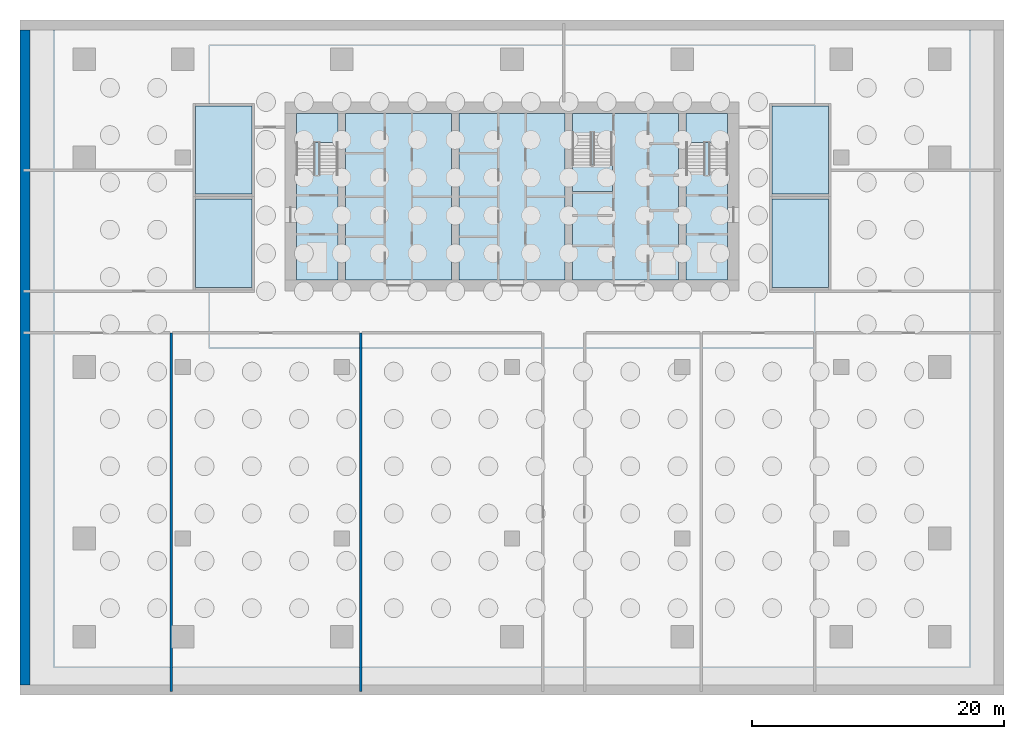
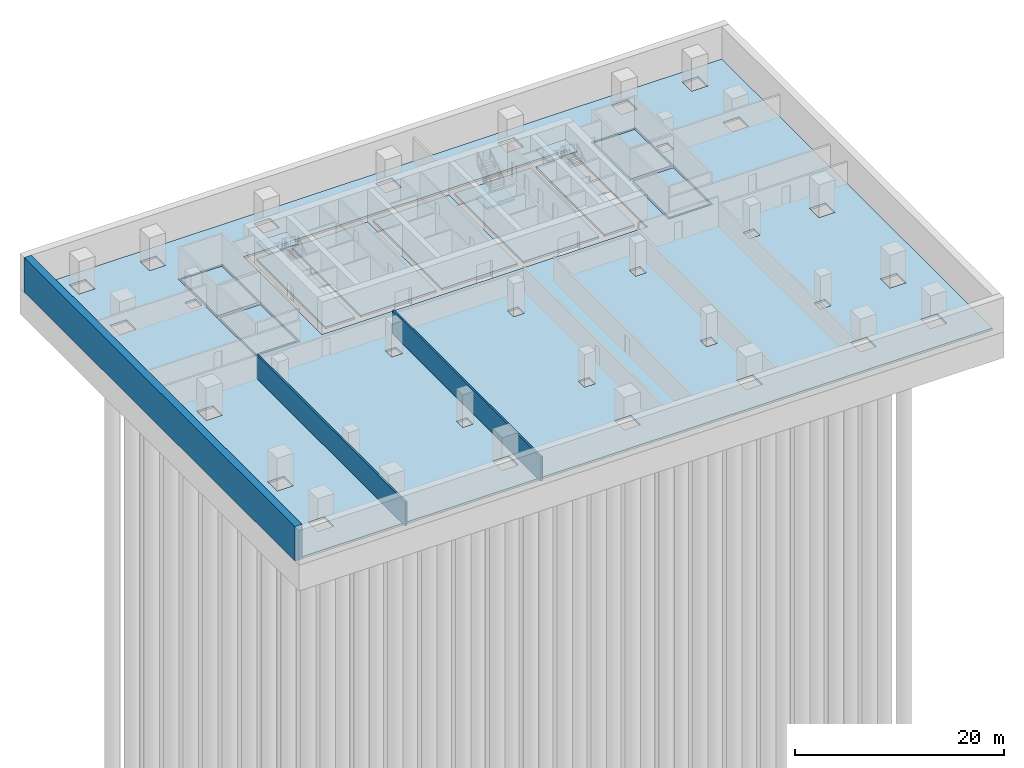
# One storey, part 2 of 10: 13 slabs, 3 walls, 3 elements without a shape of their own.
"""IFC4 building model written with IfcOpenShell, lengths in metres."""

from ifc_helpers import new_model, si_unit, direction, frame, frame_2d, origin, place, context, subcontext, project, spatial, polyline, rectangle, outline, extrude, material, layer, layer_set, type_object, element, aggregate, save


model = new_model("IFC4")

# Units and contexts
model_context = context("Model", 3, precision=1e-05, world=origin(), true_north=direction((0.0, 1.0)))
body_context = subcontext(model_context, "Body", "Model", "MODEL_VIEW")
ifc_project = project(units=[si_unit("LENGTHUNIT", "METRE"), si_unit("AREAUNIT", "SQUARE_METRE"), si_unit("VOLUMEUNIT", "CUBIC_METRE"), si_unit("PLANEANGLEUNIT", "RADIAN"), si_unit("MASSUNIT", "GRAM", prefix="KILO")], contexts=[model_context])

# Site, building, storey
site_placement = place(None, origin())
site = spatial("IfcSite", under=ifc_project, at=site_placement, CompositionType="ELEMENT")
building_placement = place(site_placement, origin())
building = spatial("IfcBuilding", under=site, at=building_placement, Name="Rattan Terrace Tower", CompositionType="ELEMENT")
storey_placement = place(building_placement, frame((0.0, 0.0, -13.5)))
storey = spatial("IfcBuildingStorey", under=building, at=storey_placement, Name="B3", CompositionType="ELEMENT", Elevation=-13.5)

# Stair, slab
ifc_material_1 = material(Name="Concrete C40/50", Category="concrete")
stair_type = type_object("IfcStairType", Name="Core exit stair 1500", PredefinedType="HALF_TURN_STAIR", material=ifc_material_1)
stair_1_placement = place(storey_placement, origin())
stair_1 = element("IfcStair", 1, at=stair_1_placement, inside=storey, type_object=stair_type, Name="B3 exit stair 1", PredefinedType="HALF_TURN_STAIR")
ifc_material_2 = material(Name="Concrete C40/50", Category="concrete")
ifc_layer_1 = layer(ifc_material_2, 0.199951171875)
ifc_layer_set_1 = layer_set([ifc_layer_1], Name="Core exit stair landing")
slab_type_1 = type_object("IfcSlabType", Name="Core exit stair landing", PredefinedType="LANDING", material=ifc_layer_set_1)
slab_1_placement = place(storey_placement, frame((0.0, 0.0, 1.800048828125)))
slab_1 = element("IfcSlab", 2, at=slab_1_placement, type_object=slab_type_1, Name="S1 landing 1", PredefinedType="LANDING", context=body_context, shape_type="SweptSolid", body=[
    extrude(outline(polyline([(-13.800048828125, 4.300048828125), (-13.800048828125, 6.60009765625), (-17.10009765625, 6.60009765625), (-17.10009765625, 4.300048828125), (-13.800048828125, 4.300048828125)])), origin(), (0.0, 0.0, 1.0), 0.199951171875),
])
aggregate(stair_1, [slab_1])

stair_2_placement = place(storey_placement, origin())
stair_2 = element("IfcStair", 3, at=stair_2_placement, inside=storey, type_object=stair_type, Name="B3 exit stair 2", PredefinedType="HALF_TURN_STAIR")
slab_2_placement = place(storey_placement, frame((0.0, 0.0, 1.800048828125)))
slab_2 = element("IfcSlab", 4, at=slab_2_placement, type_object=slab_type_1, Name="S2 landing 1", PredefinedType="LANDING", context=body_context, shape_type="SweptSolid", body=[
    extrude(outline(polyline([(17.10009765625, 4.300048828125), (17.10009765625, 6.60009765625), (13.800048828125, 6.60009765625), (13.800048828125, 4.300048828125), (17.10009765625, 4.300048828125)])), origin(), (0.0, 0.0, 1.0), 0.199951171875),
])
aggregate(stair_2, [slab_2])

stair_3_placement = place(storey_placement, origin())
stair_3 = element("IfcStair", 5, at=stair_3_placement, inside=storey, type_object=stair_type, Name="B3 exit stair 3", PredefinedType="HALF_TURN_STAIR")
slab_3_placement = place(storey_placement, frame((0.0, 0.0, 1.800048828125)))
slab_3 = element("IfcSlab", 6, at=slab_3_placement, type_object=slab_type_1, Name="S3 landing 1", PredefinedType="LANDING", context=body_context, shape_type="SweptSolid", body=[
    extrude(outline(polyline([(4.800048828125, 2.5), (4.800048828125, 0.39990234375), (7.949951171875, 0.39990234375), (7.949951171875, 2.5), (4.800048828125, 2.5)])), origin(), (0.0, 0.0, 1.0), 0.199951171875),
])
aggregate(stair_3, [slab_3])

# Slabs
ifc_material_3 = material(Name="Concrete C35/45", Category="concrete")
ifc_layer_2 = layer(ifc_material_3, 0.25)
ifc_layer_set_2 = layer_set([ifc_layer_2], Name="Frame ground slab 250")
slab_type_2 = type_object("IfcSlabType", Name="Frame ground slab 250", PredefinedType="BASESLAB", material=ifc_layer_set_2)
slab_4_placement = place(storey_placement, frame((0.0, 0.0, -0.25)))
element("IfcSlab", 7, at=slab_4_placement, inside=storey, type_object=slab_type_2, Name="Ground slab", PredefinedType="BASESLAB", context=body_context, shape_type="SweptSolid", body=[
    extrude(outline(polyline([(-38.199951171875, -38.699951171875), (38.199951171875, -38.699951171875), (38.199951171875, 13.199951171875), (-38.199951171875, 13.199951171875), (-38.199951171875, -38.699951171875)]), holes=[polyline([(-34.800048828125, -35.800048828125), (-33.0, -35.800048828125), (-33.0, -34.0), (-34.800048828125, -34.0), (-34.800048828125, -35.800048828125)]), polyline([(-27.0, -34.0), (-27.0, -35.800048828125), (-25.199951171875, -35.800048828125), (-25.199951171875, -34.0), (-27.0, -34.0)]), polyline([(-34.800048828125, -28.0), (-33.0, -28.0), (-33.0, -26.199951171875), (-34.800048828125, -26.199951171875), (-34.800048828125, -28.0)]), polyline([(-26.699951171875, -26.5), (-26.699951171875, -27.699951171875), (-25.5, -27.699951171875), (-25.5, -26.5), (-26.699951171875, -26.5)]), polyline([(-34.800048828125, -14.39990234375), (-33.0, -14.39990234375), (-33.0, -12.60009765625), (-34.800048828125, -12.60009765625), (-34.800048828125, -14.39990234375)]), polyline([(-26.699951171875, -12.89990234375), (-26.699951171875, -14.10009765625), (-25.5, -14.10009765625), (-25.5, -12.89990234375), (-26.699951171875, -12.89990234375)]), polyline([(-25.10009765625, -7.39990234375), (-20.60009765625, -7.39990234375), (-20.60009765625, -7.39990234375), (-20.39990234375, -7.39990234375), (-20.39990234375, 0.0), (-20.39990234375, 7.39990234375), (-20.60009765625, 7.39990234375), (-20.60009765625, 7.39990234375), (-25.10009765625, 7.39990234375), (-25.10009765625, 7.39990234375), (-25.300048828125, 7.39990234375), (-25.300048828125, 0.0), (-25.300048828125, -7.39990234375), (-25.10009765625, -7.39990234375), (-25.10009765625, -7.39990234375)]), polyline([(-18.0, -6.60009765625), (-18.0, -7.5), (18.0, -7.5), (18.0, -6.60009765625), (18.0, 6.60009765625), (18.0, 7.5), (-18.0, 7.5), (-18.0, 6.60009765625), (-18.0, -6.60009765625)]), polyline([(-34.800048828125, 2.199951171875), (-33.0, 2.199951171875), (-33.0, 4.0), (-34.800048828125, 4.0), (-34.800048828125, 2.199951171875)]), polyline([(-26.699951171875, 3.699951171875), (-26.699951171875, 2.5), (-25.5, 2.5), (-25.5, 3.699951171875), (-26.699951171875, 3.699951171875)]), polyline([(-27.0, 11.800048828125), (-27.0, 10.0), (-25.199951171875, 10.0), (-25.199951171875, 11.800048828125), (-27.0, 11.800048828125)]), polyline([(-34.800048828125, 11.800048828125), (-34.800048828125, 10.0), (-33.0, 10.0), (-33.0, 11.800048828125), (-34.800048828125, 11.800048828125)]), polyline([(-14.39990234375, -34.0), (-14.39990234375, -35.800048828125), (-12.60009765625, -35.800048828125), (-12.60009765625, -34.0), (-14.39990234375, -34.0)]), polyline([(12.60009765625, -34.0), (12.60009765625, -35.800048828125), (14.39990234375, -35.800048828125), (14.39990234375, -34.0), (12.60009765625, -34.0)]), polyline([(-0.89990234375, -35.800048828125), (0.89990234375, -35.800048828125), (0.89990234375, -34.0), (-0.89990234375, -34.0), (-0.89990234375, -35.800048828125)]), polyline([(-14.10009765625, -26.5), (-14.10009765625, -27.699951171875), (-12.89990234375, -27.699951171875), (-12.89990234375, -26.5), (-14.10009765625, -26.5)]), polyline([(12.89990234375, -26.5), (12.89990234375, -27.699951171875), (14.10009765625, -27.699951171875), (14.10009765625, -26.5), (12.89990234375, -26.5)]), polyline([(-0.60009765625, -26.5), (-0.60009765625, -27.699951171875), (0.60009765625, -27.699951171875), (0.60009765625, -26.5), (-0.60009765625, -26.5)]), polyline([(-14.10009765625, -12.89990234375), (-14.10009765625, -14.10009765625), (-12.89990234375, -14.10009765625), (-12.89990234375, -12.89990234375), (-14.10009765625, -12.89990234375)]), polyline([(12.89990234375, -12.89990234375), (12.89990234375, -14.10009765625), (14.10009765625, -14.10009765625), (14.10009765625, -12.89990234375), (12.89990234375, -12.89990234375)]), polyline([(-0.60009765625, -12.89990234375), (-0.60009765625, -14.10009765625), (0.60009765625, -14.10009765625), (0.60009765625, -12.89990234375), (-0.60009765625, -12.89990234375)]), polyline([(-0.89990234375, 10.0), (0.89990234375, 10.0), (0.89990234375, 11.800048828125), (-0.89990234375, 11.800048828125), (-0.89990234375, 10.0)]), polyline([(12.60009765625, 11.800048828125), (12.60009765625, 10.0), (14.39990234375, 10.0), (14.39990234375, 11.800048828125), (12.60009765625, 11.800048828125)]), polyline([(-14.39990234375, 11.800048828125), (-14.39990234375, 10.0), (-12.60009765625, 10.0), (-12.60009765625, 11.800048828125), (-14.39990234375, 11.800048828125)]), polyline([(33.0, -34.0), (33.0, -35.800048828125), (34.800048828125, -35.800048828125), (34.800048828125, -34.0), (33.0, -34.0)]), polyline([(25.199951171875, -34.0), (25.199951171875, -35.800048828125), (27.0, -35.800048828125), (27.0, -34.0), (25.199951171875, -34.0)]), polyline([(33.0, -28.0), (34.800048828125, -28.0), (34.800048828125, -26.199951171875), (33.0, -26.199951171875), (33.0, -28.0)]), polyline([(25.5, -26.5), (25.5, -27.699951171875), (26.699951171875, -27.699951171875), (26.699951171875, -26.5), (25.5, -26.5)]), polyline([(25.5, -14.10009765625), (26.699951171875, -14.10009765625), (26.699951171875, -12.89990234375), (25.5, -12.89990234375), (25.5, -14.10009765625)]), polyline([(33.0, -14.39990234375), (34.800048828125, -14.39990234375), (34.800048828125, -12.60009765625), (33.0, -12.60009765625), (33.0, -14.39990234375)]), polyline([(20.60009765625, -7.39990234375), (20.60009765625, -7.39990234375), (25.10009765625, -7.39990234375), (25.10009765625, -7.39990234375), (25.300048828125, -7.39990234375), (25.300048828125, 0.0), (25.300048828125, 7.39990234375), (25.10009765625, 7.39990234375), (25.10009765625, 7.39990234375), (20.60009765625, 7.39990234375), (20.60009765625, 7.39990234375), (20.39990234375, 7.39990234375), (20.39990234375, 0.0), (20.39990234375, -7.39990234375), (20.60009765625, -7.39990234375)]), polyline([(25.5, 2.5), (26.699951171875, 2.5), (26.699951171875, 3.699951171875), (25.5, 3.699951171875), (25.5, 2.5)]), polyline([(33.0, 2.199951171875), (34.800048828125, 2.199951171875), (34.800048828125, 4.0), (33.0, 4.0), (33.0, 2.199951171875)]), polyline([(25.199951171875, 11.800048828125), (25.199951171875, 10.0), (27.0, 10.0), (27.0, 11.800048828125), (25.199951171875, 11.800048828125)]), polyline([(33.0, 11.800048828125), (33.0, 10.0), (34.800048828125, 10.0), (34.800048828125, 11.800048828125), (33.0, 11.800048828125)])]), origin(), (0.0, 0.0, 1.0), 0.25),
])
slab_5_placement = place(storey_placement, frame((0.0, 0.0, -0.25)))
element("IfcSlab", 8, at=slab_5_placement, inside=storey, type_object=slab_type_2, Name="Ground slab", PredefinedType="BASESLAB", context=body_context, shape_type="SweptSolid", body=[
    extrude(outline(polyline([(-20.60009765625, 0.199951171875), (-20.60009765625, 7.199951171875), (-25.10009765625, 7.199951171875), (-25.10009765625, 0.199951171875), (-20.60009765625, 0.199951171875)])), origin(), (0.0, 0.0, 1.0), 0.25),
])
slab_6_placement = place(storey_placement, frame((0.0, 0.0, -0.25)))
element("IfcSlab", 9, at=slab_6_placement, inside=storey, type_object=slab_type_2, Name="Ground slab", PredefinedType="BASESLAB", context=body_context, shape_type="SweptSolid", body=[
    extrude(outline(polyline([(-20.60009765625, -0.199951171875), (-25.10009765625, -0.199951171875), (-25.10009765625, -7.199951171875), (-20.60009765625, -7.199951171875), (-20.60009765625, -0.199951171875)])), origin(), (0.0, 0.0, 1.0), 0.25),
])
slab_7_placement = place(storey_placement, frame((0.0, 0.0, -0.25)))
element("IfcSlab", 10, at=slab_7_placement, inside=storey, type_object=slab_type_2, Name="Ground slab", PredefinedType="BASESLAB", context=body_context, shape_type="SweptSolid", body=[
    extrude(outline(polyline([(-17.10009765625, 6.60009765625), (-17.10009765625, -6.60009765625), (-13.800048828125, -6.60009765625), (-13.800048828125, 6.60009765625), (-17.10009765625, 6.60009765625)])), origin(), (0.0, 0.0, 1.0), 0.25),
])
slab_8_placement = place(storey_placement, frame((0.0, 0.0, -0.25)))
element("IfcSlab", 11, at=slab_8_placement, inside=storey, type_object=slab_type_2, Name="Ground slab", PredefinedType="BASESLAB", context=body_context, shape_type="SweptSolid", body=[
    extrude(outline(polyline([(-13.199951171875, 6.60009765625), (-13.199951171875, -6.60009765625), (-4.800048828125, -6.60009765625), (-4.800048828125, 6.60009765625), (-13.199951171875, 6.60009765625)])), origin(), (0.0, 0.0, 1.0), 0.25),
])
slab_9_placement = place(storey_placement, frame((0.0, 0.0, -0.25)))
element("IfcSlab", 12, at=slab_9_placement, inside=storey, type_object=slab_type_2, Name="Ground slab", PredefinedType="BASESLAB", context=body_context, shape_type="SweptSolid", body=[
    extrude(outline(polyline([(-4.199951171875, 6.60009765625), (-4.199951171875, -6.60009765625), (4.199951171875, -6.60009765625), (4.199951171875, 6.60009765625), (-4.199951171875, 6.60009765625)])), origin(), (0.0, 0.0, 1.0), 0.25),
])
slab_10_placement = place(storey_placement, frame((0.0, 0.0, -0.25)))
element("IfcSlab", 13, at=slab_10_placement, inside=storey, type_object=slab_type_2, Name="Ground slab", PredefinedType="BASESLAB", context=body_context, shape_type="SweptSolid", body=[
    extrude(outline(polyline([(4.800048828125, 6.60009765625), (4.800048828125, -6.60009765625), (13.199951171875, -6.60009765625), (13.199951171875, 6.60009765625), (4.800048828125, 6.60009765625)])), origin(), (0.0, 0.0, 1.0), 0.25),
])
slab_11_placement = place(storey_placement, frame((0.0, 0.0, -0.25)))
element("IfcSlab", 14, at=slab_11_placement, inside=storey, type_object=slab_type_2, Name="Ground slab", PredefinedType="BASESLAB", context=body_context, shape_type="SweptSolid", body=[
    extrude(outline(polyline([(17.10009765625, 6.60009765625), (13.800048828125, 6.60009765625), (13.800048828125, -6.60009765625), (17.10009765625, -6.60009765625), (17.10009765625, 6.60009765625)])), origin(), (0.0, 0.0, 1.0), 0.25),
])
slab_12_placement = place(storey_placement, frame((0.0, 0.0, -0.25)))
element("IfcSlab", 15, at=slab_12_placement, inside=storey, type_object=slab_type_2, Name="Ground slab", PredefinedType="BASESLAB", context=body_context, shape_type="SweptSolid", body=[
    extrude(outline(polyline([(25.10009765625, 7.199951171875), (20.60009765625, 7.199951171875), (20.60009765625, 0.199951171875), (25.10009765625, 0.199951171875), (25.10009765625, 7.199951171875)])), origin(), (0.0, 0.0, 1.0), 0.25),
])
slab_13_placement = place(storey_placement, frame((0.0, 0.0, -0.25)))
element("IfcSlab", 16, at=slab_13_placement, inside=storey, type_object=slab_type_2, Name="Ground slab", PredefinedType="BASESLAB", context=body_context, shape_type="SweptSolid", body=[
    extrude(outline(polyline([(20.60009765625, -0.199951171875), (20.60009765625, -7.199951171875), (25.10009765625, -7.199951171875), (25.10009765625, -0.199951171875), (20.60009765625, -0.199951171875)])), origin(), (0.0, 0.0, 1.0), 0.25),
])

# Walls
ifc_material_4 = material(Name="Concrete block wall, plastered", Category="concrete")
ifc_layer_3 = layer(ifc_material_4, 0.199951171875)
ifc_layer_set_3 = layer_set([ifc_layer_3], Name="Floors Plant Wall 200")
wall_type_1 = type_object("IfcWallType", Name="Floors Plant Wall 200", PredefinedType="PARTITIONING", material=ifc_layer_set_3)
for number, where, z_axis, x_axis, name in (
    (17, (-27.001953125, -10.800048828125, 0.0), (0.0, 0.0, 1.0), (0.0, -1.0, 0.0), "pt-B3-013"),
    (18, (-12.0, -10.800048828125, 0.0), (0.0, 0.0, 1.0), (0.0, -1.0, 0.0), "pt-B3-014"),
):
    element("IfcWall", number, at=place(storey_placement, frame(where, z_axis=z_axis, x_axis=x_axis)), inside=storey, type_object=wall_type_1, Name=name, PredefinedType="PARTITIONING", context=body_context, shape_type="SweptSolid", body=[
        extrude(rectangle(XDim=28.43994140625, YDim=0.199951171875, at=frame_2d((14.219970703125, 0.0))), origin(), (0.0, 0.0, 1.0), 2.800048828125),
    ])
ifc_material_5 = material(Name="Concrete C40/50", Category="concrete")
ifc_layer_4 = layer(ifc_material_5, 0.800048828125)
ifc_layer_set_4 = layer_set([ifc_layer_4], Name="Frame basement wall 800")
wall_type_2 = type_object("IfcWallType", Name="Frame basement wall 800", PredefinedType="SOLIDWALL", material=ifc_layer_set_4)
wall_placement = place(storey_placement, frame((-38.60009765625, -38.699951171875, -0.25), z_axis=(0.0, 0.0, 1.0), x_axis=(0.0, 1.0, 0.0)))
element("IfcWall", 19, at=wall_placement, inside=storey, type_object=wall_type_2, Name="Basement wall", PredefinedType="SOLIDWALL", context=body_context, shape_type="SweptSolid", body=[
    extrude(rectangle(XDim=51.89990234375, YDim=0.800048828125, at=frame_2d((25.949951171875, 0.0))), origin(), (0.0, 0.0, 1.0), 4.050048828125),
])

save(model, "model.ifc")
